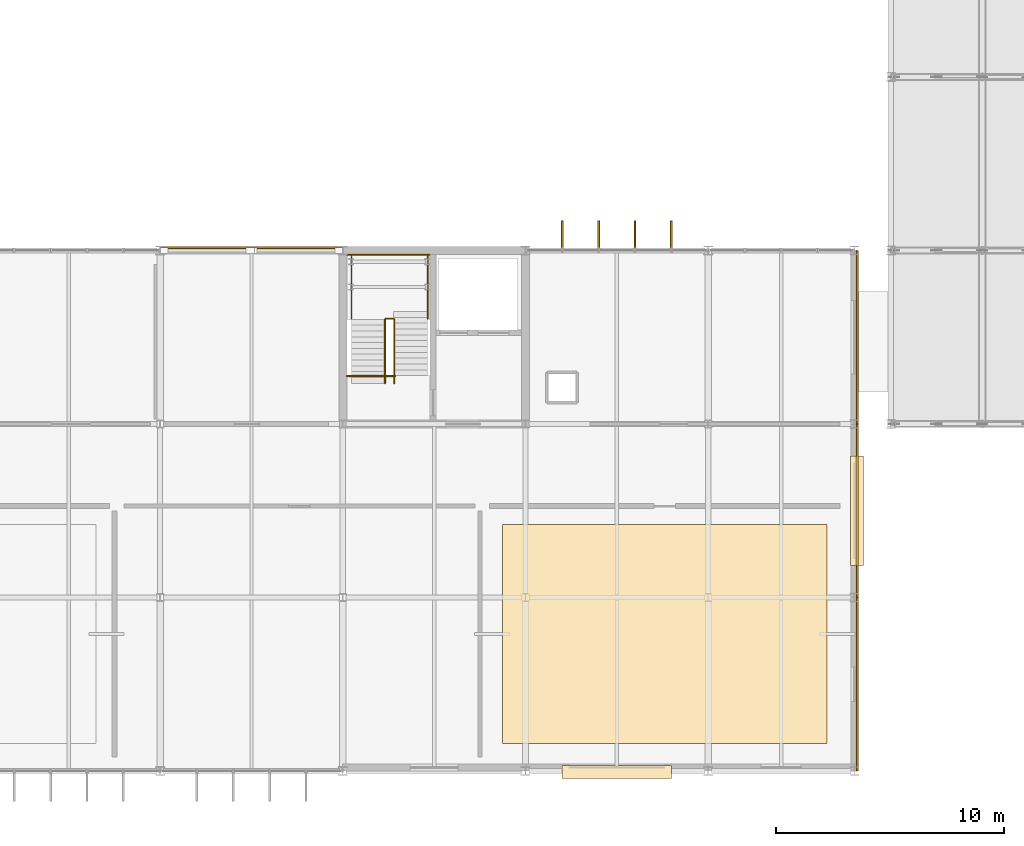
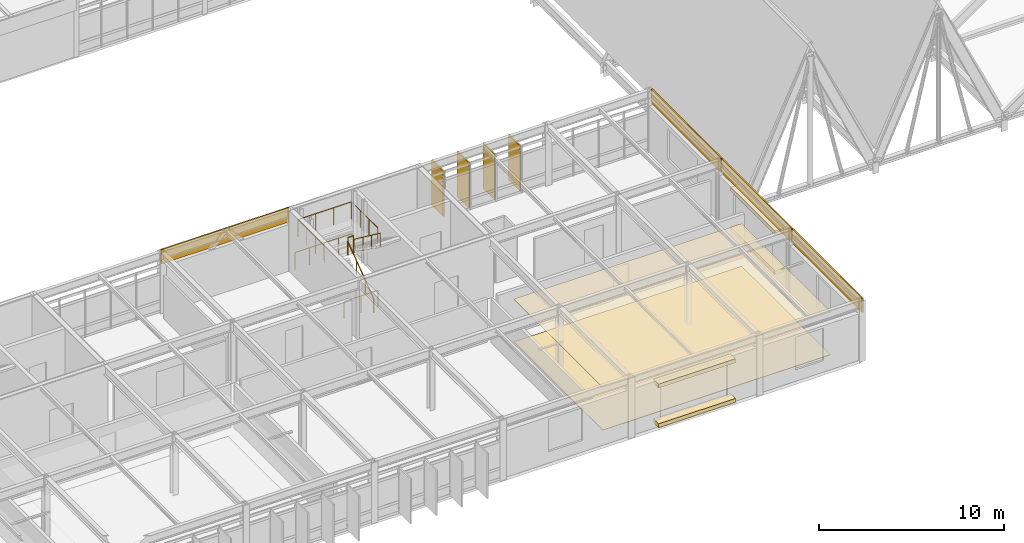
# One storey, part 80 of 85: 10 coverings, 6 railings, 4 shading devices.
"""IFC4 building model written with IfcOpenShell, lengths in metres."""

import ifcopenshell
import ifcopenshell.guid

model = None  # the IFC model being written
_history = None  # IfcOwnerHistory: only IFC2X3 demands one
_inside = {}  # id of a spatial element -> (the spatial element, [elements in it])
_under = {}  # id of a project, library or spatial element -> (it, [spatial elements below it])
_declared = {}  # id of a project -> (the project, [libraries it declares])
_typed = {}  # id of a type object -> (the type object, [elements of that type])
_made_of = {}  # id of a material, layer set ... -> (it, [elements and type objects made of it])


def new_model(schema):
    """Start an empty IFC model of exactly this schema.

    Asked for "IFC4X3", IfcOpenShell would pick the latest addendum, in which some entities
    have other attributes; the version numbers below select the first issue.
    IFC2X3 requires an IfcOwnerHistory on every rooted entity: one is made here for all.
    """
    global model, _history
    if schema == "IFC4X3":
        model = ifcopenshell.file(schema_version=(4, 3, 0, 0))
    else:
        model = ifcopenshell.file(schema=schema)
    _inside.clear()
    _under.clear()
    _declared.clear()
    _typed.clear()
    _made_of.clear()
    _history = None
    if model.schema == "IFC2X3":
        org = make("IfcOrganization", Name="unknown")
        user = make(
            "IfcPersonAndOrganization",
            ThePerson=make("IfcPerson", FamilyName="unknown"),
            TheOrganization=org,
        )
        app = make(
            "IfcApplication",
            ApplicationDeveloper=org,
            Version="unknown",
            ApplicationFullName="unknown",
            ApplicationIdentifier="unknown",
        )
        _history = make(
            "IfcOwnerHistory",
            OwningUser=user,
            OwningApplication=app,
            ChangeAction="ADDED",
            CreationDate=0,
        )
    return model


def make(cls, **values):
    """One entity of the class cls with the attributes given. An attribute that is None is left unset."""
    return model.create_entity(
        cls, **{name: value for name, value in values.items() if value is not None}
    )


def rooted(cls, **values):
    """An entity with a GlobalId (a new one), such as an element, a storey or a relation."""
    return make(cls, GlobalId=ifcopenshell.guid.new(), OwnerHistory=_history, **values)


def si_unit(unit_type, name, prefix=None):
    """IfcSIUnit, for example si_unit("LENGTHUNIT", "METRE", prefix="MILLI")."""
    return make("IfcSIUnit", UnitType=unit_type, Prefix=prefix, Name=name)


def assignment(units):
    """IfcUnitAssignment: the units of a project."""
    return None if units is None else make("IfcUnitAssignment", Units=units)


def point(xyz):
    """IfcCartesianPoint."""
    return None if xyz is None else make("IfcCartesianPoint", Coordinates=xyz)


def direction(xyz):
    """IfcDirection."""
    return None if xyz is None else make("IfcDirection", DirectionRatios=xyz)


def frame(location, z_axis=None, x_axis=None):
    """IfcAxis2Placement3D, a coordinate frame: its origin and axes. An axis left out is left unset."""
    return make(
        "IfcAxis2Placement3D",
        Location=point(location),
        Axis=direction(z_axis),
        RefDirection=direction(x_axis),
    )


def frame_2d(location, x_axis=None):
    """IfcAxis2Placement2D, a coordinate frame in the plane: its origin and x axis."""
    return make(
        "IfcAxis2Placement2D", Location=point(location), RefDirection=direction(x_axis)
    )


def origin():
    """The frame at (0, 0, 0) with its axes left unset."""
    return frame((0.0, 0.0, 0.0))


def origin_2d():
    """The frame at (0, 0) in the plane with its x axis left unset."""
    return frame_2d((0.0, 0.0))


def place(relative_to, where):
    """IfcLocalPlacement: puts the frame where relative to a parent placement (None: the world)."""
    return make(
        "IfcLocalPlacement", PlacementRelTo=relative_to, RelativePlacement=where
    )


def context(
    kind, dimensions, precision=None, world=None, true_north=None, identifier=None
):
    """IfcGeometricRepresentationContext, for example the 3D "Model" context."""
    return make(
        "IfcGeometricRepresentationContext",
        ContextIdentifier=identifier,
        ContextType=kind,
        CoordinateSpaceDimension=dimensions,
        Precision=precision,
        WorldCoordinateSystem=world,
        TrueNorth=true_north,
    )


def subcontext(parent, identifier, kind, view, scale=None):
    """IfcGeometricRepresentationSubContext, for example "Body" below "Model"."""
    return make(
        "IfcGeometricRepresentationSubContext",
        ContextIdentifier=identifier,
        ContextType=kind,
        ParentContext=parent,
        TargetScale=scale,
        TargetView=view,
    )


def project(units=None, contexts=None):
    """IfcProject with its units and contexts."""
    return rooted(
        "IfcProject",
        Name="project",
        RepresentationContexts=contexts,
        UnitsInContext=assignment(units),
    )


def spatial(cls, under=None, at=None, **own):
    """A site, building, storey or space (cls), placed at a placement, below another one or the project."""
    s = rooted(cls, ObjectPlacement=at, **own)
    if under is not None:
        _under.setdefault(under.id(), (under, []))[1].append(s)
    return s


def polyline(points):
    """IfcPolyline through the points."""
    return make("IfcPolyline", Points=[point(p) for p in points])


def profile(cls, at=None, kind="AREA", **sizes):
    """A parametric profile (cls). Its sizes go by their IFC names, for example OverallWidth=200.0."""
    return make(cls, ProfileType=kind, Position=at, **sizes)


def rectangle(**sizes):
    """IfcRectangleProfileDef."""
    return profile("IfcRectangleProfileDef", **sizes)


def circle(**sizes):
    """IfcCircleProfileDef."""
    return profile("IfcCircleProfileDef", **sizes)


def outline(outer, holes=None, kind="AREA"):
    """IfcArbitraryClosedProfileDef: a profile drawn as a closed curve; with holes, ...WithVoids."""
    if holes is None:
        return make("IfcArbitraryClosedProfileDef", ProfileType=kind, OuterCurve=outer)
    return make(
        "IfcArbitraryProfileDefWithVoids",
        ProfileType=kind,
        OuterCurve=outer,
        InnerCurves=holes,
    )


def extrude(swept, where, along, depth):
    """IfcExtrudedAreaSolid: the profile swept, set in the frame where, extruded along a direction by depth."""
    return make(
        "IfcExtrudedAreaSolid",
        SweptArea=swept,
        Position=where,
        ExtrudedDirection=direction(along),
        Depth=depth,
    )


def shape(context_of_items, identifier, shape_type, items):
    """IfcShapeRepresentation: the items that make up one representation, for example the "Body"."""
    return make(
        "IfcShapeRepresentation",
        ContextOfItems=context_of_items,
        RepresentationIdentifier=identifier,
        RepresentationType=shape_type,
        Items=items,
    )


def material(Name=None, Category=None):
    """IfcMaterial."""
    return make("IfcMaterial", Name=Name, Category=Category)


def layer(
    of_material, thickness, ventilated=None, Name=None, Category=None, Priority=None
):
    """IfcMaterialLayer: one layer of a wall or slab, of a material (None: an air gap)."""
    return make(
        "IfcMaterialLayer",
        Material=of_material,
        LayerThickness=thickness,
        IsVentilated=ventilated,
        Name=Name,
        Category=Category,
        Priority=Priority,
    )


def layer_set(layers, Name=None):
    """IfcMaterialLayerSet."""
    return make("IfcMaterialLayerSet", MaterialLayers=layers, LayerSetName=Name)


def made_of(thing, what):
    """Note that an element or type object is made of a material, layer set ...; save() writes the relation."""
    if what is not None:
        _made_of.setdefault(what.id(), (what, []))[1].append(thing)
    return thing


def type_object(cls, material=None, **own):
    """A type object (cls), such as IfcWallType, which elements share."""
    return made_of(rooted(cls, **own), material)


def element(
    cls,
    number,
    at=None,
    inside=None,
    cuts=None,
    type_object=None,
    material=None,
    context=None,
    identifier="Body",
    shape_type=None,
    held_by="IfcProductDefinitionShape",
    body=None,
    shapes=None,
    **own,
):
    """One element of the class cls, such as IfcWall. Its Tag is "e" and its number.

    at: its placement. inside: the storey or other place that contains it. cuts: it is an
    opening in that element (IfcRelVoidsElement). A single representation is given by context,
    identifier, shape_type and body (its items); several are given by shapes. held_by: the class
    of the entity that holds the representations. save() writes the other relations.
    """
    e = rooted(cls, Tag="e%d" % number, ObjectPlacement=at, **own)
    if body is not None:
        shapes = [shape(context, identifier, shape_type, body)]
    if shapes is not None:
        e.Representation = make(held_by, Representations=shapes)
    if inside is not None:
        _inside.setdefault(inside.id(), (inside, []))[1].append(e)
    if cuts is not None:
        rooted(
            "IfcRelVoidsElement", RelatingBuildingElement=cuts, RelatedOpeningElement=e
        )
    if type_object is not None:
        _typed.setdefault(type_object.id(), (type_object, []))[1].append(e)
    return made_of(e, material)


def aggregate(whole, parts):
    """IfcRelAggregates: a whole, such as a stair, and the parts it consists of."""
    return rooted("IfcRelAggregates", RelatingObject=whole, RelatedObjects=parts)


def save(model, path):
    """Write the relations noted so far, then the file.

    IfcRelAggregates (storeys below a building ...), IfcRelContainedInSpatialStructure (elements
    in a storey), IfcRelDefinesByType, IfcRelAssociatesMaterial and IfcRelDeclares: one each for
    every whole, place, type object, material and project.
    """
    for whole, parts in _under.values():
        aggregate(whole, parts)
    for where, things in _inside.values():
        rooted(
            "IfcRelContainedInSpatialStructure",
            RelatedElements=things,
            RelatingStructure=where,
        )
    for kind, things in _typed.values():
        rooted("IfcRelDefinesByType", RelatedObjects=things, RelatingType=kind)
    for what, things in _made_of.values():
        rooted("IfcRelAssociatesMaterial", RelatedObjects=things, RelatingMaterial=what)
    for by, libraries in _declared.values():
        rooted("IfcRelDeclares", RelatingContext=by, RelatedDefinitions=libraries)
    model.write(path)


model = new_model("IFC4")

# Units and contexts
model_context = context("Model", 3, precision=1e-05, world=origin(), true_north=direction((0.0, 1.0)))
body_context = subcontext(model_context, "Body", "Model", "MODEL_VIEW")
ifc_project = project(units=[si_unit("LENGTHUNIT", "METRE"), si_unit("AREAUNIT", "SQUARE_METRE"), si_unit("VOLUMEUNIT", "CUBIC_METRE"), si_unit("PLANEANGLEUNIT", "RADIAN"), si_unit("MASSUNIT", "GRAM", prefix="KILO")], contexts=[model_context])

# Site, building, storey
site_placement = place(None, origin())
site = spatial("IfcSite", under=ifc_project, at=site_placement, CompositionType="ELEMENT")
building_placement = place(site_placement, origin())
building = spatial("IfcBuilding", under=site, at=building_placement, Name="Zulena Civic Courthouse", CompositionType="ELEMENT")
storey_placement = place(building_placement, frame((0.0, 0.0, 25.199951171875)))
storey = spatial("IfcBuildingStorey", under=building, at=storey_placement, Name="L05", CompositionType="ELEMENT", Elevation=25.199951171875)

# Covering
ifc_material_1 = material(Name="Perforated acoustic mineral-fibre ceiling tile", Category="concrete")
ifc_layer_1 = layer(ifc_material_1, 0.02490234375)
ifc_layer_set_1 = layer_set([ifc_layer_1], Name="Perforated acoustic mineral-fibre ceiling tile")
covering_type_1 = type_object("IfcCoveringType", Name="AcousticCeiling_25", PredefinedType="CEILING", material=ifc_layer_set_1)
covering_1_placement = place(storey_placement, frame((0.0, 0.0, 2.820068359375)))
element("IfcCovering", 1, at=covering_1_placement, inside=storey, type_object=covering_type_1, Name="ceil:L05:335", PredefinedType="CEILING", context=body_context, shape_type="SweptSolid", body=[
    extrude(outline(polyline([(51.0, 1.199951171875), (65.199951171875, 1.199951171875), (65.199951171875, 10.800048828125), (51.0, 10.800048828125), (51.0, 1.199951171875)])), origin(), (0.0, 0.0, 1.0), 0.02490234375),
])

# Shading devices
ifc_material_2 = material(Name="Gold anodised architectural aluminium AA6063-T6", Category="aluminium")
shading_device_type = type_object("IfcShadingDeviceType", Name="GoldSolarFin_300", PredefinedType="USERDEFINED", material=ifc_material_2)
for number, where, z_axis, x_axis, name in (
    (2, (53.61083984375, 23.485107421875, 0.05029296875), (0.0, 0.0, 1.0), (0.0, 1.0, 0.0), "fin:V2:L05:1:6:1"),
    (3, (55.20361328125, 23.485107421875, 0.05029296875), (0.0, 0.0, 1.0), (0.0, 1.0, 0.0), "fin:V2:L05:1:6:2"),
    (4, (56.79638671875, 23.485107421875, 0.05029296875), (0.0, 0.0, 1.0), (0.0, 1.0, 0.0), "fin:V2:L05:1:6:3"),
    (5, (58.38916015625, 23.485107421875, 0.05029296875), (0.0, 0.0, 1.0), (0.0, 1.0, 0.0), "fin:V2:L05:1:6:4"),
):
    element("IfcShadingDevice", number, at=place(storey_placement, frame(where, z_axis=z_axis, x_axis=x_axis)), inside=storey, type_object=shading_device_type, Name=name, ObjectType="FIN", PredefinedType="USERDEFINED", context=body_context, shape_type="SweptSolid", body=[
        extrude(rectangle(XDim=1.25, YDim=0.080078125, at=origin_2d()), origin(), (0.0, 0.0, 1.0), 2.989990234375),
    ])

# Railings
ifc_material_3 = material(Name="Brushed architectural steel ASTM A36", Category="steel")
railing_type_1 = type_object("IfcRailingType", Name="InteriorGuardrail_1150", PredefinedType="GUARDRAIL", material=ifc_material_3)
railing_1_placement = place(storey_placement, frame((44.199951171875, 22.610107421875, 0.0)))
element("IfcRailing", 6, at=railing_1_placement, inside=storey, type_object=railing_type_1, Name="gr:wellN:K2B:L04", PredefinedType="GUARDRAIL", context=body_context, shape_type="SweptSolid", body=[
    extrude(circle(Radius=0.02392578125, at=origin_2d()), frame((0.00390625, 0.0, 1.1259765625), z_axis=(1.0, 0.0, 0.0), x_axis=(0.0, 1.0, 0.0)), (0.0, 0.0, 1.0), 3.592041015625),
    extrude(circle(Radius=0.02099609375, at=origin_2d()), origin(), (0.0, 0.0, 1.0), 1.097900390625),
    extrude(circle(Radius=0.02099609375, at=origin_2d()), frame((0.89990234375, 0.0, 0.0)), (0.0, 0.0, 1.0), 1.097900390625),
    extrude(circle(Radius=0.02099609375, at=origin_2d()), frame((1.800048828125, 0.0, 0.0)), (0.0, 0.0, 1.0), 1.097900390625),
    extrude(circle(Radius=0.02099609375, at=origin_2d()), frame((2.7001953125, 0.0, 0.0)), (0.0, 0.0, 1.0), 1.097900390625),
    extrude(circle(Radius=0.02099609375, at=origin_2d()), frame((3.60009765625, 0.0, 0.0)), (0.0, 0.0, 1.0), 1.097900390625),
])
railing_2_placement = place(storey_placement, frame((44.179931640625, 17.300048828125, 0.0)))
element("IfcRailing", 7, at=railing_2_placement, inside=storey, type_object=railing_type_1, Name="gr:wells:K2B:L05", PredefinedType="GUARDRAIL", context=body_context, shape_type="SweptSolid", body=[
    extrude(circle(Radius=0.02392578125, at=origin_2d()), frame((0.00390625, 0.0, 1.1259765625), z_axis=(1.0, 0.0, 0.0), x_axis=(0.0, 1.0, 0.0)), (0.0, 0.0, 1.0), 2.112060546875),
    extrude(circle(Radius=0.02099609375, at=origin_2d()), origin(), (0.0, 0.0, 1.0), 1.097900390625),
    extrude(circle(Radius=0.02099609375, at=origin_2d()), frame((1.06005859375, 0.0, 0.0)), (0.0, 0.0, 1.0), 1.097900390625),
    extrude(circle(Radius=0.02099609375, at=origin_2d()), frame((2.1201171875, 0.0, 0.0)), (0.0, 0.0, 1.0), 1.097900390625),
])
railing_3_placement = place(storey_placement, frame((44.3798828125, 19.78466796875, 2.10009765625)))
element("IfcRailing", 8, at=railing_3_placement, inside=storey, type_object=railing_type_1, Name="gr:lnd:K2B:L05", PredefinedType="GUARDRAIL", context=body_context, shape_type="SweptSolid", body=[
    extrude(circle(Radius=0.02392578125, at=origin_2d()), frame((0.0, 0.00390625, 1.1259765625), z_axis=(0.0, 1.0, 0.0), x_axis=(-1.0, 0.0, 0.0)), (0.0, 0.0, 1.0), 2.827392578125),
    extrude(circle(Radius=0.02392578125, at=origin_2d()), frame((0.00390625, 2.83544921875, 1.1259765625), z_axis=(1.0, 0.0, 0.0), x_axis=(0.0, 1.0, 0.0)), (0.0, 0.0, 1.0), 3.33203125),
    extrude(circle(Radius=0.02392578125, at=origin_2d()), frame((3.340087890625, 2.83154296875, 1.1259765625), z_axis=(0.0, -1.0, 0.0), x_axis=(1.0, 0.0, 0.0)), (0.0, 0.0, 1.0), 2.827392578125),
    extrude(circle(Radius=0.02099609375, at=origin_2d()), origin(), (0.0, 0.0, 1.0), 1.097900390625),
    extrude(circle(Radius=0.02099609375, at=origin_2d()), frame((0.0, 0.945068359375, 0.0)), (0.0, 0.0, 1.0), 1.097900390625),
    extrude(circle(Radius=0.02099609375, at=origin_2d()), frame((0.0, 1.890380859375, 0.0)), (0.0, 0.0, 1.0), 1.097900390625),
    extrude(circle(Radius=0.02099609375, at=origin_2d()), frame((0.0, 2.83544921875, 0.0)), (0.0, 0.0, 1.0), 1.097900390625),
    extrude(circle(Radius=0.02099609375, at=origin_2d()), frame((1.11328125, 2.83544921875, 0.0)), (0.0, 0.0, 1.0), 1.097900390625),
    extrude(circle(Radius=0.02099609375, at=origin_2d()), frame((2.226806640625, 2.83544921875, 0.0)), (0.0, 0.0, 1.0), 1.097900390625),
    extrude(circle(Radius=0.02099609375, at=origin_2d()), frame((3.340087890625, 2.83544921875, 0.0)), (0.0, 0.0, 1.0), 1.097900390625),
    extrude(circle(Radius=0.02099609375, at=origin_2d()), frame((3.340087890625, 1.890380859375, 0.0)), (0.0, 0.0, 1.0), 1.097900390625),
    extrude(circle(Radius=0.02099609375, at=origin_2d()), frame((3.340087890625, 0.945068359375, 0.0)), (0.0, 0.0, 1.0), 1.097900390625),
    extrude(circle(Radius=0.02099609375, at=origin_2d()), frame((3.340087890625, 0.0, 0.0)), (0.0, 0.0, 1.0), 1.097900390625),
])
railing_4_placement = place(storey_placement, frame((45.8798828125, 19.804931640625, 2.10009765625)))
element("IfcRailing", 9, at=railing_4_placement, inside=storey, type_object=railing_type_1, Name="gr:lndslot:K2B:L05", PredefinedType="GUARDRAIL", context=body_context, shape_type="SweptSolid", body=[
    extrude(circle(Radius=0.02392578125, at=origin_2d()), frame((0.00390625, 0.0, 1.1259765625), z_axis=(1.0, 0.0, 0.0), x_axis=(0.0, 1.0, 0.0)), (0.0, 0.0, 1.0), 0.33203125),
    extrude(circle(Radius=0.02099609375, at=origin_2d()), origin(), (0.0, 0.0, 1.0), 1.097900390625),
    extrude(circle(Radius=0.02099609375, at=origin_2d()), frame((0.340087890625, 0.0, 0.0)), (0.0, 0.0, 1.0), 1.097900390625),
])

# Coverings
ifc_material_4 = material(Name="White architectural precast concrete C40/50", Category="concrete")
ifc_layer_2 = layer(ifc_material_4, 0.0849609375)
ifc_layer_set_2 = layer_set([ifc_layer_2], Name="White architectural precast concrete C40/50")
covering_type_2 = type_object("IfcCoveringType", Name="PrecastSpandrelCladding_85", PredefinedType="CLADDING", material=ifc_layer_set_2)
covering_2_placement = place(storey_placement, frame((40.0, 22.919921875, 3.06005859375), z_axis=(0.0, 0.0, 1.0), x_axis=(1.0, 0.0, 0.0)))
element("IfcCovering", 10, at=covering_2_placement, inside=storey, type_object=covering_type_2, Name="clad:sp:V2:L05:1:4", PredefinedType="CLADDING", context=body_context, shape_type="SweptSolid", body=[
    extrude(rectangle(XDim=7.9599609375, YDim=0.0849609375, at=origin_2d()), origin(), (0.0, 0.0, 1.0), 0.93994140625),
])
for number, where, z_axis, x_axis, name in (
    (11, (66.52001953125, 19.0, 3.06005859375), (0.0, 0.0, 1.0), (0.0, -1.0, 0.0), "clad:sp:V2:L05:2:0"),
    (12, (66.52001953125, 11.39990234375, 3.06005859375), (0.0, 0.0, 1.0), (0.0, -1.0, 0.0), "clad:sp:V2:L05:2:1"),
):
    element("IfcCovering", number, at=place(storey_placement, frame(where, z_axis=z_axis, x_axis=x_axis)), inside=storey, type_object=covering_type_2, Name=name, PredefinedType="CLADDING", context=body_context, shape_type="SweptSolid", body=[
        extrude(rectangle(XDim=7.56005859375, YDim=0.0849609375, at=origin_2d()), origin(), (0.0, 0.0, 1.0), 0.93994140625),
    ])
for number, where, z_axis, x_axis, name in (
    (13, (66.52001953125, 11.39990234375, 2.7998046875), (0.0, 0.0, 1.0), (1.0, 0.0, 0.0), "clad:outlook:L05:2:1:top"),
    (14, (66.52001953125, 11.39990234375, 0.18994140625), (0.0, 0.0, 1.0), (1.0, 0.0, 0.0), "clad:outlook:L05:2:1:bot"),
):
    element("IfcCovering", number, at=place(storey_placement, frame(where, z_axis=z_axis, x_axis=x_axis)), inside=storey, type_object=covering_type_2, Name=name, PredefinedType="CLADDING", context=body_context, shape_type="SweptSolid", body=[
        extrude(rectangle(XDim=0.56005859375, YDim=4.800048828125, at=origin_2d()), origin(), (0.0, 0.0, 1.0), 0.260009765625),
    ])
covering_3_placement = place(storey_placement, frame((66.52001953125, 3.800048828125, 3.06005859375), z_axis=(0.0, 0.0, 1.0), x_axis=(0.0, -1.0, 0.0)))
element("IfcCovering", 15, at=covering_3_placement, inside=storey, type_object=covering_type_2, Name="clad:sp:V2:L05:2:2", PredefinedType="CLADDING", context=body_context, shape_type="SweptSolid", body=[
    extrude(rectangle(XDim=7.56005859375, YDim=0.0849609375, at=origin_2d()), origin(), (0.0, 0.0, 1.0), 0.93994140625),
])
for number, where, z_axis, x_axis, name in (
    (16, (56.0, -0.0400390625, 2.7998046875), (0.0, 0.0, 1.0), (1.0, 0.0, 0.0), "clad:outlook:L05:3:1:top"),
    (17, (56.0, -0.0400390625, 0.18994140625), (0.0, 0.0, 1.0), (1.0, 0.0, 0.0), "clad:outlook:L05:3:1:bot"),
):
    element("IfcCovering", number, at=place(storey_placement, frame(where, z_axis=z_axis, x_axis=x_axis)), inside=storey, type_object=covering_type_2, Name=name, PredefinedType="CLADDING", context=body_context, shape_type="SweptSolid", body=[
        extrude(rectangle(XDim=4.800048828125, YDim=0.56005859375, at=origin_2d()), origin(), (0.0, 0.0, 1.0), 0.260009765625),
    ])

# Railings
railing_type_2 = type_object("IfcRailingType", Name="StairHandrail_920", PredefinedType="HANDRAIL", material=ifc_material_3)
railing_5_placement = place(storey_placement, frame((45.85009765625, 16.97998046875, 0.0)))
element("IfcRailing", 18, at=railing_5_placement, inside=storey, type_object=railing_type_2, Name="hr:K2B:L05:1", PredefinedType="HANDRAIL", context=body_context, shape_type="SweptSolid", body=[
    extrude(circle(Radius=0.02392578125, at=origin_2d()), frame((0.0, 0.003173828125, 0.898193359375), z_axis=(0.0, 0.800467996722, 0.599375496849), x_axis=(-1.0, 0.0, 0.0)), (0.0, 0.0, 1.0), 3.495849609375),
    extrude(circle(Radius=0.02099609375, at=origin_2d()), origin(), (0.0, 0.0, 1.0), 0.867919921875),
    extrude(circle(Radius=0.02099609375, at=origin_2d()), frame((0.0, 0.934814453125, 0.699951171875)), (0.0, 0.0, 1.0), 0.867919921875),
    extrude(circle(Radius=0.02099609375, at=origin_2d()), frame((0.0, 1.869873046875, 1.400146484375)), (0.0, 0.0, 1.0), 0.867919921875),
    extrude(circle(Radius=0.02099609375, at=origin_2d()), frame((0.0, 2.8046875, 2.10009765625)), (0.0, 0.0, 1.0), 0.867919921875),
])
railing_6_placement = place(storey_placement, frame((46.25, 19.78466796875, 2.10009765625)))
element("IfcRailing", 19, at=railing_6_placement, inside=storey, type_object=railing_type_2, Name="hr:K2B:L05:2", PredefinedType="HANDRAIL", context=body_context, shape_type="SweptSolid", body=[
    extrude(circle(Radius=0.02392578125, at=origin_2d()), frame((0.0, -0.003173828125, 0.898193359375), z_axis=(0.0, -0.800501427345, 0.599330847545), x_axis=(1.0, 0.0, 0.0)), (0.0, 0.0, 1.0), 3.49560546875),
    extrude(circle(Radius=0.02099609375, at=origin_2d()), origin(), (0.0, 0.0, 1.0), 0.867919921875),
    extrude(circle(Radius=0.02099609375, at=origin_2d()), frame((0.0, -0.934814453125, 0.699951171875)), (0.0, 0.0, 1.0), 0.867919921875),
    extrude(circle(Radius=0.02099609375, at=origin_2d()), frame((0.0, -1.869873046875, 1.39990234375)), (0.0, 0.0, 1.0), 0.867919921875),
    extrude(circle(Radius=0.02099609375, at=origin_2d()), frame((0.0, -2.8046875, 2.099853515625)), (0.0, 0.0, 1.0), 0.867919921875),
])

# Covering
ifc_material_5 = material(Name="Honed travertine stone flooring", Category="masonry")
ifc_layer_3 = layer(ifc_material_5, 0.030029296875)
ifc_layer_set_3 = layer_set([ifc_layer_3], Name="Honed travertine stone flooring")
covering_type_3 = type_object("IfcCoveringType", Name="TravertineFlooring_30", PredefinedType="FLOORING", material=ifc_layer_set_3)
covering_4_placement = place(storey_placement, origin())
element("IfcCovering", 20, at=covering_4_placement, inside=storey, type_object=covering_type_3, Name="floor:L05:335", PredefinedType="FLOORING", context=body_context, shape_type="SweptSolid", body=[
    extrude(outline(polyline([(51.0, 1.199951171875), (65.199951171875, 1.199951171875), (65.199951171875, 10.800048828125), (51.0, 10.800048828125), (51.0, 1.199951171875)])), origin(), (0.0, 0.0, 1.0), 0.030029296875),
])

save(model, "model.ifc")
